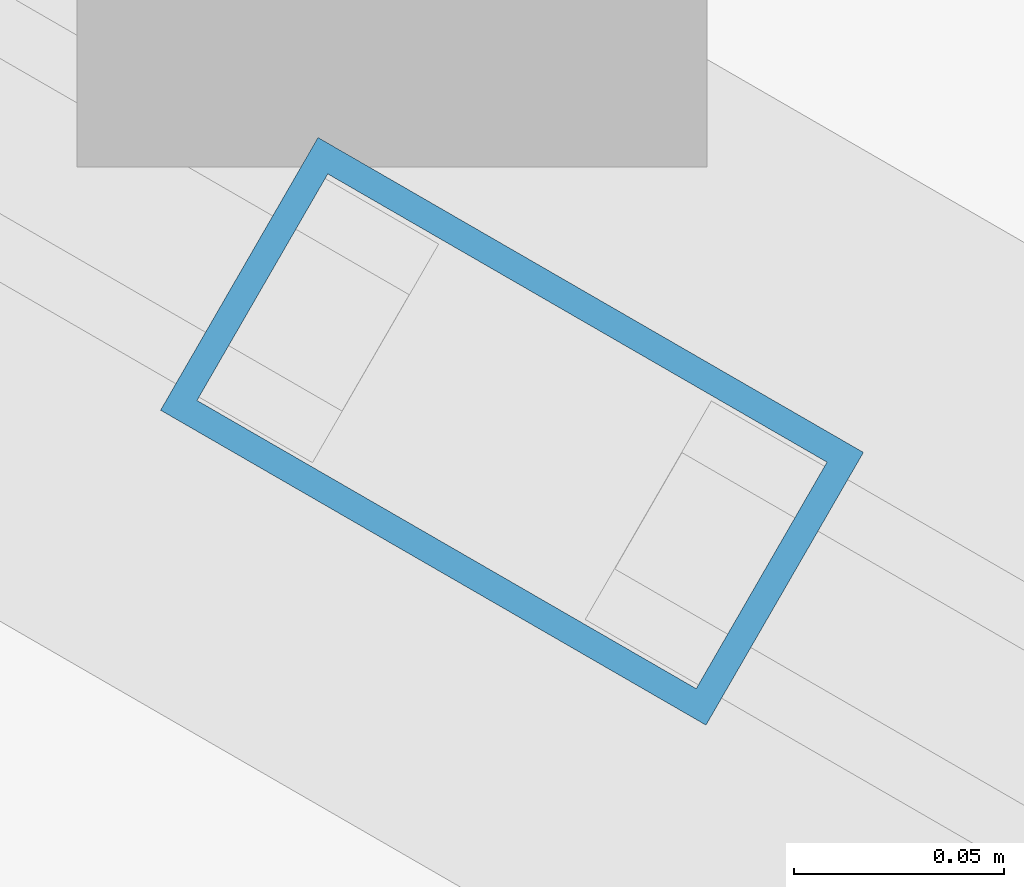
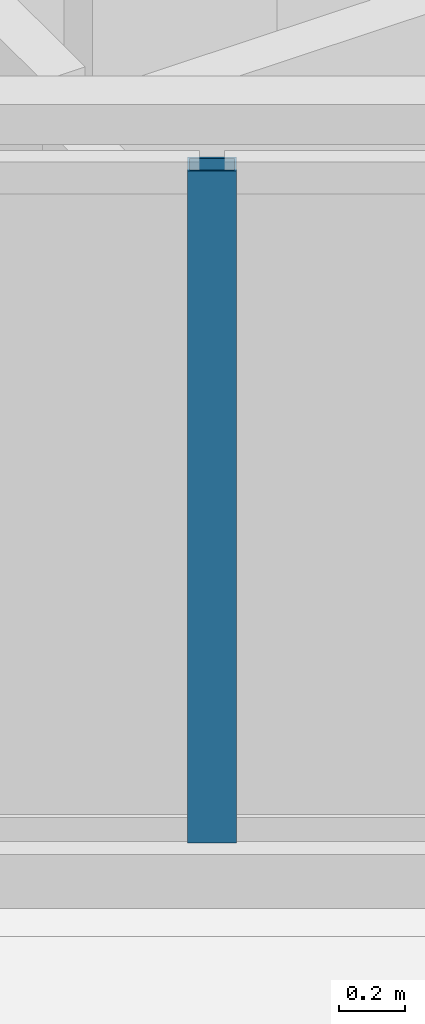
# One storey, part 2 of 18: 1 member, 1 element without a shape of its own.
"""IFC4 building model written with IfcOpenShell, lengths in metres."""

from ifc_helpers import new_model, si_unit, direction, frame, origin, origin_2d, place, context, subcontext, project, spatial, hollow_rectangle, extrude, material, layer, layer_set, material_profile, profile_set, type_object, element, aggregate, save


model = new_model("IFC4")

# Units and contexts
model_context = context("Model", 3, precision=1e-05, world=origin(), true_north=direction((0.0, 1.0)))
body_context = subcontext(model_context, "Body", "Model", "MODEL_VIEW")
ifc_project = project(units=[si_unit("LENGTHUNIT", "METRE"), si_unit("AREAUNIT", "SQUARE_METRE"), si_unit("VOLUMEUNIT", "CUBIC_METRE"), si_unit("PLANEANGLEUNIT", "RADIAN"), si_unit("MASSUNIT", "GRAM", prefix="KILO")], contexts=[model_context])

# Site, building, storey
site_placement = place(None, origin())
site = spatial("IfcSite", under=ifc_project, at=site_placement, CompositionType="ELEMENT")
building_placement = place(site_placement, origin())
building = spatial("IfcBuilding", under=site, at=building_placement, Name="Mersakhor Tower and Convention Hall", CompositionType="ELEMENT")
storey_placement = place(building_placement, frame((0.0, 0.0, 226.5)))
storey = spatial("IfcBuildingStorey", under=building, at=storey_placement, Name="L63", CompositionType="ELEMENT", Elevation=226.5)

# Curtain wall, member
ifc_material_1 = material(Name="Dark solar low-E aluminium curtain wall", Category="aluminium")
ifc_layer = layer(ifc_material_1, 0.179931640625)
ifc_layer_set = layer_set([ifc_layer], Name="Dark solar low-E aluminium curtain wall")
curtain_wall_type = type_object("IfcCurtainWallType", Name="CW-SYS-03", PredefinedType="USERDEFINED", material=ifc_layer_set)
curtain_wall_placement = place(storey_placement, origin())
curtain_wall = element("IfcCurtainWall", 1, at=curtain_wall_placement, inside=storey, type_object=curtain_wall_type, Name="L63 Dark-Glass Curtain Wall F3-B2", ObjectType="CURTAIN WALL", PredefinedType="USERDEFINED")
ifc_material_2 = material(Name="Anodised aluminium EN AW-6063 T6", Category="aluminium")
ifc_material_profile = material_profile(ifc_material_2, hollow_rectangle(XDim=0.074951171875, YDim=0.14990234375, WallThickness=0.00634765625, at=origin_2d()), Name="RHS 150x75x6.3")
ifc_profile_set = profile_set([ifc_material_profile], Name="Anodised aluminium EN AW-6063 T6")
member_type = type_object("IfcMemberType", Name="CWM-150x75", PredefinedType="MULLION", material=ifc_profile_set)
member_placement = place(storey_placement, frame((23.628662109375, 17.446533203125, 0.199951171875), z_axis=(0.0, 0.0, 1.0), x_axis=(-0.500004411169, -0.86602285698, 0.0)))
member = element("IfcMember", 2, at=member_placement, type_object=member_type, Name="CW-03 mullion 2", PredefinedType="MULLION", context=body_context, shape_type="SweptSolid", body=[
    extrude(hollow_rectangle(XDim=0.074951171875, YDim=0.14990234375, WallThickness=0.00634765625, at=origin_2d()), origin(), (0.0, 0.0, 1.0), 2.5),
])
aggregate(curtain_wall, [member])

save(model, "model.ifc")
